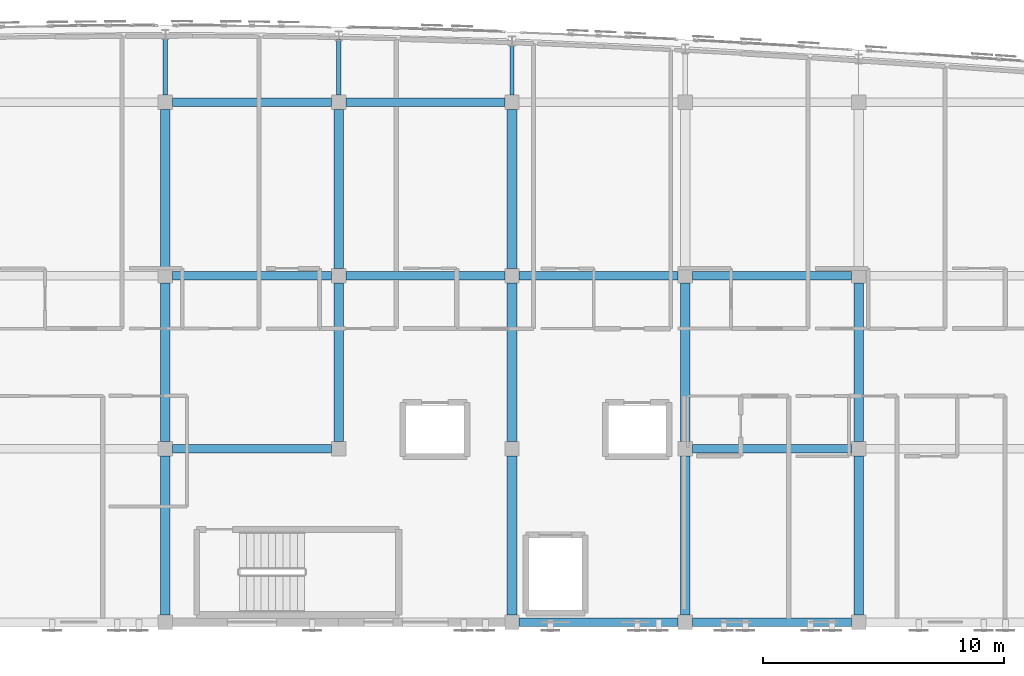
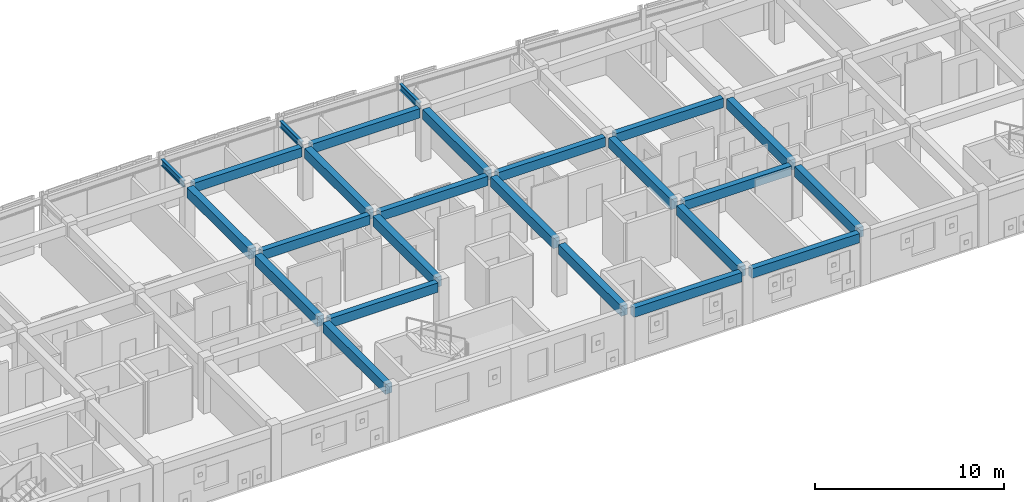
# One storey, part 17 of 51: 25 beams.
"""IFC4 building model written with IfcOpenShell, lengths in metres."""

from ifc_helpers import new_model, si_unit, direction, frame, origin, origin_2d, place, context, subcontext, project, spatial, rectangle, i_section, extrude, material, material_profile, profile_set, type_object, element, save


model = new_model("IFC4")

# Units and contexts
model_context = context("Model", 3, precision=1e-05, world=origin(), true_north=direction((0.0, 1.0)))
body_context = subcontext(model_context, "Body", "Model", "MODEL_VIEW")
ifc_project = project(units=[si_unit("LENGTHUNIT", "METRE"), si_unit("AREAUNIT", "SQUARE_METRE"), si_unit("VOLUMEUNIT", "CUBIC_METRE"), si_unit("PLANEANGLEUNIT", "RADIAN"), si_unit("MASSUNIT", "GRAM", prefix="KILO")], contexts=[model_context])

# Site, building, storey
site_placement = place(None, origin())
site = spatial("IfcSite", under=ifc_project, at=site_placement, CompositionType="ELEMENT")
building_placement = place(site_placement, origin())
building = spatial("IfcBuilding", under=site, at=building_placement, Name="Carrowvane Square Congress Hotel", CompositionType="ELEMENT")
storey_placement = place(building_placement, frame((0.0, 0.0, 30.0)))
storey = spatial("IfcBuildingStorey", under=building, at=storey_placement, Name="L07", CompositionType="ELEMENT", Elevation=30.0)

# Beams
ifc_material_1 = material(Name="Concrete C35/45", Category="concrete")
ifc_material_profile_1 = material_profile(ifc_material_1, rectangle(XDim=0.35009765625, YDim=0.60009765625, at=origin_2d()), Name="RC 350x600")
ifc_profile_set_1 = profile_set([ifc_material_profile_1], Name="Concrete C35/45")
beam_type_1 = type_object("IfcBeamType", Name="BM-RC-350x600", PredefinedType="BEAM", material=ifc_profile_set_1)
for number, where, z_axis, x_axis, name in (
    (1, (112.699951171875, 91.800048828125, 3.06005859375), (1.0, 0.0, 0.0), (0.0, 1.0, 0.0), "L08 girder N/15-16"),
    (2, (119.89990234375, 91.800048828125, 3.06005859375), (1.0, 0.0, 0.0), (0.0, 1.0, 0.0), "L08 girder N/16-17"),
):
    element("IfcBeam", number, at=place(storey_placement, frame(where, z_axis=z_axis, x_axis=x_axis)), inside=storey, type_object=beam_type_1, Name=name, PredefinedType="BEAM", context=body_context, shape_type="SweptSolid", body=[
        extrude(rectangle(XDim=0.35009765625, YDim=0.60009765625, at=origin_2d()), origin(), (0.0, 0.0, 1.0), 6.60009765625),
    ])
beam_1_placement = place(storey_placement, frame((98.300048828125, 99.0, 3.06005859375), z_axis=(1.0, 0.0, 0.0), x_axis=(0.0, 1.0, 0.0)))
element("IfcBeam", 3, at=beam_1_placement, inside=storey, type_object=beam_type_1, Name="L08 girder P/13-14", PredefinedType="BEAM", context=body_context, shape_type="SweptSolid", body=[
    extrude(rectangle(XDim=0.35009765625, YDim=0.60009765625, at=origin_2d()), origin(), (0.0, 0.0, 1.0), 6.599853515625),
])
beam_2_placement = place(storey_placement, frame((119.89990234375, 99.0, 3.06005859375), z_axis=(1.0, 0.0, 0.0), x_axis=(0.0, 1.0, 0.0)))
element("IfcBeam", 4, at=beam_2_placement, inside=storey, type_object=beam_type_1, Name="L08 girder P/16-17", PredefinedType="BEAM", context=body_context, shape_type="SweptSolid", body=[
    extrude(rectangle(XDim=0.35009765625, YDim=0.60009765625, at=origin_2d()), origin(), (0.0, 0.0, 1.0), 6.60009765625),
])
beam_3_placement = place(storey_placement, frame((98.300048828125, 106.199951171875, 3.06005859375), z_axis=(1.0, 0.0, 0.0), x_axis=(0.0, 1.0, 0.0)))
element("IfcBeam", 5, at=beam_3_placement, inside=storey, type_object=beam_type_1, Name="L08 girder Q/13-14", PredefinedType="BEAM", context=body_context, shape_type="SweptSolid", body=[
    extrude(rectangle(XDim=0.35009765625, YDim=0.60009765625, at=origin_2d()), origin(), (0.0, 0.0, 1.0), 6.599853515625),
])
for number, where, z_axis, x_axis, name in (
    (6, (105.5, 106.199951171875, 3.06005859375), (1.0, 0.0, 0.0), (0.0, 1.0, 0.0), "L08 girder Q/14-15"),
    (7, (112.699951171875, 106.199951171875, 3.06005859375), (1.0, 0.0, 0.0), (0.0, 1.0, 0.0), "L08 girder Q/15-16"),
    (8, (119.89990234375, 106.199951171875, 3.06005859375), (1.0, 0.0, 0.0), (0.0, 1.0, 0.0), "L08 girder Q/16-17"),
):
    element("IfcBeam", number, at=place(storey_placement, frame(where, z_axis=z_axis, x_axis=x_axis)), inside=storey, type_object=beam_type_1, Name=name, PredefinedType="BEAM", context=body_context, shape_type="SweptSolid", body=[
        extrude(rectangle(XDim=0.35009765625, YDim=0.60009765625, at=origin_2d()), origin(), (0.0, 0.0, 1.0), 6.60009765625),
    ])
beam_4_placement = place(storey_placement, frame((98.300048828125, 113.39990234375, 3.06005859375), z_axis=(1.0, 0.0, 0.0), x_axis=(0.0, 1.0, 0.0)))
element("IfcBeam", 9, at=beam_4_placement, inside=storey, type_object=beam_type_1, Name="L08 girder R/13-14", PredefinedType="BEAM", context=body_context, shape_type="SweptSolid", body=[
    extrude(rectangle(XDim=0.35009765625, YDim=0.60009765625, at=origin_2d()), origin(), (0.0, 0.0, 1.0), 6.599853515625),
])
beam_5_placement = place(storey_placement, frame((105.5, 113.39990234375, 3.06005859375), z_axis=(1.0, 0.0, 0.0), x_axis=(0.0, 1.0, 0.0)))
element("IfcBeam", 10, at=beam_5_placement, inside=storey, type_object=beam_type_1, Name="L08 girder R/14-15", PredefinedType="BEAM", context=body_context, shape_type="SweptSolid", body=[
    extrude(rectangle(XDim=0.35009765625, YDim=0.60009765625, at=origin_2d()), origin(), (0.0, 0.0, 1.0), 6.60009765625),
])
ifc_material_2 = material(Name="Concrete C35/45", Category="concrete")
ifc_material_profile_2 = material_profile(ifc_material_2, rectangle(XDim=0.39990234375, YDim=0.64990234375, at=origin_2d()), Name="RC 400x650")
ifc_profile_set_2 = profile_set([ifc_material_profile_2], Name="Concrete C35/45")
beam_type_2 = type_object("IfcBeamType", Name="BM-RC-400x650", PredefinedType="BEAM", material=ifc_profile_set_2)
for number, where, z_axis, x_axis, name in (
    (11, (98.0, 92.10009765625, 3.034912109375), (0.0, 1.0, 0.0), (-1.0, 0.0, 0.0), "L08 girder 13/N-P"),
    (12, (98.0, 99.300048828125, 3.034912109375), (0.0, 1.0, 0.0), (-1.0, 0.0, 0.0), "L08 girder 13/P-Q"),
):
    element("IfcBeam", number, at=place(storey_placement, frame(where, z_axis=z_axis, x_axis=x_axis)), inside=storey, type_object=beam_type_2, Name=name, PredefinedType="BEAM", context=body_context, shape_type="SweptSolid", body=[
        extrude(rectangle(XDim=0.39990234375, YDim=0.64990234375, at=origin_2d()), origin(), (0.0, 0.0, 1.0), 6.599853515625),
    ])
beam_6_placement = place(storey_placement, frame((98.0, 106.5, 3.034912109375), z_axis=(0.0, 1.0, 0.0), x_axis=(-1.0, 0.0, 0.0)))
element("IfcBeam", 13, at=beam_6_placement, inside=storey, type_object=beam_type_2, Name="L08 girder 13/Q-R", PredefinedType="BEAM", context=body_context, shape_type="SweptSolid", body=[
    extrude(rectangle(XDim=0.39990234375, YDim=0.64990234375, at=origin_2d()), origin(), (0.0, 0.0, 1.0), 6.60009765625),
])
beam_7_placement = place(storey_placement, frame((105.199951171875, 99.300048828125, 3.034912109375), z_axis=(0.0, 1.0, 0.0), x_axis=(-1.0, 0.0, 0.0)))
element("IfcBeam", 14, at=beam_7_placement, inside=storey, type_object=beam_type_2, Name="L08 girder 14/P-Q", PredefinedType="BEAM", context=body_context, shape_type="SweptSolid", body=[
    extrude(rectangle(XDim=0.39990234375, YDim=0.64990234375, at=origin_2d()), origin(), (0.0, 0.0, 1.0), 6.599853515625),
])
beam_8_placement = place(storey_placement, frame((105.199951171875, 106.5, 3.034912109375), z_axis=(0.0, 1.0, 0.0), x_axis=(-1.0, 0.0, 0.0)))
element("IfcBeam", 15, at=beam_8_placement, inside=storey, type_object=beam_type_2, Name="L08 girder 14/Q-R", PredefinedType="BEAM", context=body_context, shape_type="SweptSolid", body=[
    extrude(rectangle(XDim=0.39990234375, YDim=0.64990234375, at=origin_2d()), origin(), (0.0, 0.0, 1.0), 6.60009765625),
])
for number, where, z_axis, x_axis, name in (
    (16, (112.39990234375, 92.10009765625, 3.034912109375), (0.0, 1.0, 0.0), (-1.0, 0.0, 0.0), "L08 girder 15/N-P"),
    (17, (112.39990234375, 99.300048828125, 3.034912109375), (0.0, 1.0, 0.0), (-1.0, 0.0, 0.0), "L08 girder 15/P-Q"),
):
    element("IfcBeam", number, at=place(storey_placement, frame(where, z_axis=z_axis, x_axis=x_axis)), inside=storey, type_object=beam_type_2, Name=name, PredefinedType="BEAM", context=body_context, shape_type="SweptSolid", body=[
        extrude(rectangle(XDim=0.39990234375, YDim=0.64990234375, at=origin_2d()), origin(), (0.0, 0.0, 1.0), 6.599853515625),
    ])
beam_9_placement = place(storey_placement, frame((112.39990234375, 106.5, 3.034912109375), z_axis=(0.0, 1.0, 0.0), x_axis=(-1.0, 0.0, 0.0)))
element("IfcBeam", 18, at=beam_9_placement, inside=storey, type_object=beam_type_2, Name="L08 girder 15/Q-R", PredefinedType="BEAM", context=body_context, shape_type="SweptSolid", body=[
    extrude(rectangle(XDim=0.39990234375, YDim=0.64990234375, at=origin_2d()), origin(), (0.0, 0.0, 1.0), 6.60009765625),
])
for number, where, z_axis, x_axis, name in (
    (19, (119.60009765625, 92.10009765625, 3.034912109375), (0.0, 1.0, 0.0), (-1.0, 0.0, 0.0), "L08 girder 16/N-P"),
    (20, (119.60009765625, 99.300048828125, 3.034912109375), (0.0, 1.0, 0.0), (-1.0, 0.0, 0.0), "L08 girder 16/P-Q"),
    (21, (126.800048828125, 92.10009765625, 3.034912109375), (0.0, 1.0, 0.0), (-1.0, 0.0, 0.0), "L08 girder 17/N-P"),
    (22, (126.800048828125, 99.300048828125, 3.034912109375), (0.0, 1.0, 0.0), (-1.0, 0.0, 0.0), "L08 girder 17/P-Q"),
):
    element("IfcBeam", number, at=place(storey_placement, frame(where, z_axis=z_axis, x_axis=x_axis)), inside=storey, type_object=beam_type_2, Name=name, PredefinedType="BEAM", context=body_context, shape_type="SweptSolid", body=[
        extrude(rectangle(XDim=0.39990234375, YDim=0.64990234375, at=origin_2d()), origin(), (0.0, 0.0, 1.0), 6.599853515625),
    ])
ifc_material_3 = material(Name="Steel S355", Category="steel")
ifc_material_profile_3 = material_profile(ifc_material_3, i_section(OverallWidth=0.1787109375, OverallDepth=0.409423828125, WebThickness=0.0087890625, FlangeThickness=0.014404296875, FilletRadius=0.01025390625, at=origin_2d()), Name="UKB 406x178x67")
ifc_profile_set_3 = profile_set([ifc_material_profile_3], Name="Steel S355")
beam_type_3 = type_object("IfcBeamType", Name="BM-ST-UKB406", PredefinedType="BEAM", material=ifc_profile_set_3)
beam_10_placement = place(storey_placement, frame((98.0, 113.699951171875, 3.1552734375), z_axis=(0.0, 1.0, 0.0), x_axis=(-1.0, 0.0, 0.0)))
element("IfcBeam", 23, at=beam_10_placement, inside=storey, type_object=beam_type_3, Name="L08 radial north beam 13", PredefinedType="BEAM", context=body_context, shape_type="SweptSolid", body=[
    extrude(i_section(OverallWidth=0.1787109375, OverallDepth=0.409423828125, WebThickness=0.0087890625, FlangeThickness=0.014404296875, FilletRadius=0.01025390625, at=origin_2d()), origin(), (0.0, 0.0, 1.0), 2.3701171875),
])
beam_11_placement = place(storey_placement, frame((105.199951171875, 113.699951171875, 3.1552734375), z_axis=(0.0, 1.0, 0.0), x_axis=(-1.0, 0.0, 0.0)))
element("IfcBeam", 24, at=beam_11_placement, inside=storey, type_object=beam_type_3, Name="L08 radial north beam 14", PredefinedType="BEAM", context=body_context, shape_type="SweptSolid", body=[
    extrude(i_section(OverallWidth=0.1787109375, OverallDepth=0.409423828125, WebThickness=0.0087890625, FlangeThickness=0.014404296875, FilletRadius=0.01025390625, at=origin_2d()), origin(), (0.0, 0.0, 1.0), 2.2998046875),
])
beam_12_placement = place(storey_placement, frame((112.39990234375, 113.699951171875, 3.1552734375), z_axis=(0.0, 1.0, 0.0), x_axis=(-1.0, 0.0, 0.0)))
element("IfcBeam", 25, at=beam_12_placement, inside=storey, type_object=beam_type_3, Name="L08 radial north beam 15", PredefinedType="BEAM", context=body_context, shape_type="SweptSolid", body=[
    extrude(i_section(OverallWidth=0.1787109375, OverallDepth=0.409423828125, WebThickness=0.0087890625, FlangeThickness=0.014404296875, FilletRadius=0.01025390625, at=origin_2d()), origin(), (0.0, 0.0, 1.0), 2.093994140625),
])

save(model, "model.ifc")
